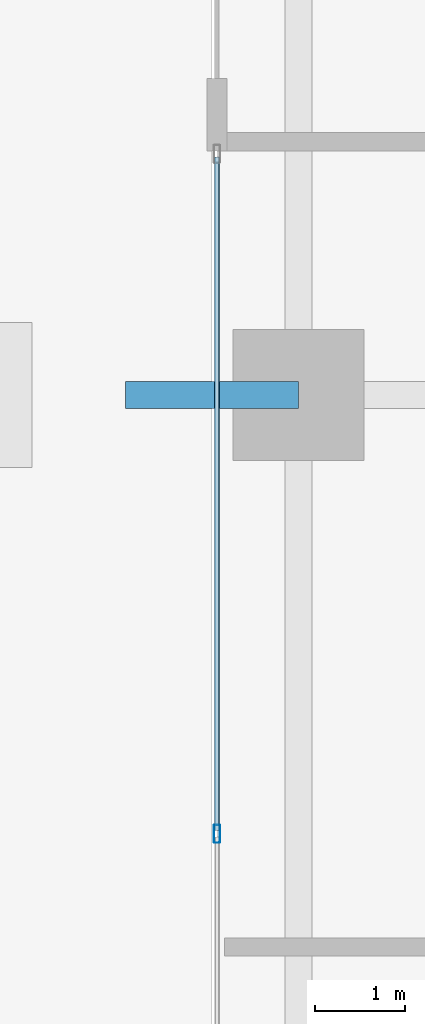
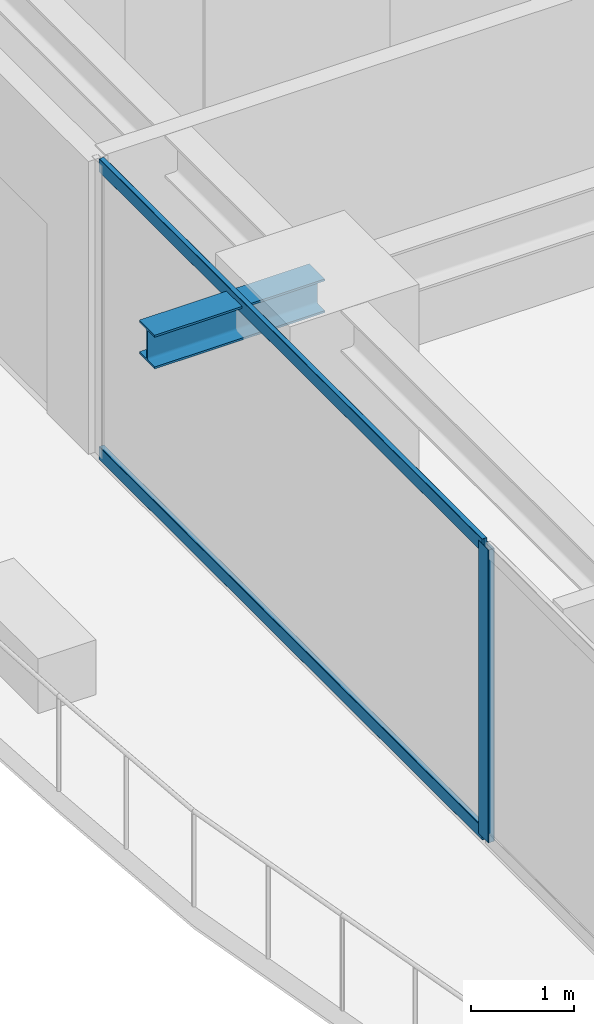
# One storey, part 7 of 41: 3 members, 1 beam, 1 element without a shape of its own.
"""IFC4 building model written with IfcOpenShell, lengths in metres."""

from ifc_helpers import new_model, si_unit, direction, frame, origin, origin_2d, place, context, subcontext, project, spatial, hollow_rectangle, i_section, extrude, source, transform, mapped, material, layer, layer_set, material_profile, profile_set, type_object, element, aggregate, save


model = new_model("IFC4")

# Units and contexts
model_context = context("Model", 3, precision=1e-05, world=origin(), true_north=direction((0.0, 1.0)))
body_context = subcontext(model_context, "Body", "Model", "MODEL_VIEW")
ifc_project = project(units=[si_unit("LENGTHUNIT", "METRE"), si_unit("AREAUNIT", "SQUARE_METRE"), si_unit("VOLUMEUNIT", "CUBIC_METRE"), si_unit("PLANEANGLEUNIT", "RADIAN"), si_unit("MASSUNIT", "GRAM", prefix="KILO")], contexts=[model_context])

# Site, building, storey
site_placement = place(None, origin())
site = spatial("IfcSite", under=ifc_project, at=site_placement, CompositionType="ELEMENT")
building_placement = place(site_placement, origin())
building = spatial("IfcBuilding", under=site, at=building_placement, Name="Serunith Strait Residences", CompositionType="ELEMENT")
storey_placement = place(building_placement, frame((0.0, 0.0, 45.449951171875)))
storey = spatial("IfcBuildingStorey", under=building, at=storey_placement, Name="L10", CompositionType="ELEMENT", Elevation=45.449951171875)

# Beam
ifc_material_1 = material(Name="Steel S355J2", Category="steel")
ifc_material_profile_1 = material_profile(ifc_material_1, i_section(OverallWidth=0.300048828125, OverallDepth=0.39990234375, WebThickness=0.013427734375, FlangeThickness=0.02392578125, FilletRadius=0.027099609375, at=origin_2d()), Name="HEB 400")
ifc_profile_set_1 = profile_set([ifc_material_profile_1], Name="Steel S355J2")
beam_type = type_object("IfcBeamType", Name="BM-HEB400", PredefinedType="BEAM", material=ifc_profile_set_1)
shared_shape_1 = source(origin(), body_context, "Body", "SweptSolid", [
    extrude(i_section(OverallWidth=0.300048828125, OverallDepth=0.39990234375, WebThickness=0.013427734375, FlangeThickness=0.02392578125, FilletRadius=0.027099609375, at=origin_2d()), origin(), (0.0, 0.0, 1.0), 1.909912109375),
])
beam_placement = place(storey_placement, frame((6.89990234375, 21.0, 3.257080078125), z_axis=(-1.0, 0.0, 0.0), x_axis=(0.0, -1.0, 0.0)))
element("IfcBeam", 1, at=beam_placement, inside=storey, type_object=beam_type, Name="L11 Cantilevered Balcony Rib TC-W2", PredefinedType="BEAM", context=body_context, shape_type="MappedRepresentation", body=[
    mapped(shared_shape_1, transform((0.0, 0.0, 0.0), scale=1.0)),
])

# Curtain wall, members
ifc_material_2 = material(Name="Pale-Champagne Anodised Aluminium", Category="aluminium")
ifc_layer = layer(ifc_material_2, 0.199951171875, Name="Pale-Champagne Anodised Aluminium")
ifc_layer_set = layer_set([ifc_layer], Name="Pale-Champagne Anodised Aluminium")
curtain_wall_type = type_object("IfcCurtainWallType", Name="CW-SYS1", PredefinedType="NOTDEFINED", material=ifc_layer_set)
curtain_wall_placement = place(storey_placement, origin())
curtain_wall = element("IfcCurtainWall", 2, at=curtain_wall_placement, inside=storey, type_object=curtain_wall_type, Name="L10 W Unitised Fritted Curtain Wall", PredefinedType="NOTDEFINED")
ifc_material_profile_2 = material_profile(ifc_material_2, hollow_rectangle(XDim=0.070068359375, YDim=0.199951171875, WallThickness=0.00390625, InnerFilletRadius=0.006103515625, OuterFilletRadius=0.010009765625, at=origin_2d()), Name="ALU 200x70x4")
ifc_profile_set_2 = profile_set([ifc_material_profile_2], Name="Pale-Champagne Anodised Aluminium")
member_type_1 = type_object("IfcMemberType", Name="CW-SYS1-MULL", PredefinedType="MULLION", material=ifc_profile_set_2)
shared_shape_2 = source(origin(), body_context, "Body", "SweptSolid", [
    extrude(hollow_rectangle(XDim=0.070068359375, YDim=0.199951171875, WallThickness=0.00390625, InnerFilletRadius=0.006103515625, OuterFilletRadius=0.010009765625, at=origin_2d()), origin(), (0.0, 0.0, 1.0), 3.47509765625),
])
member_1_placement = place(storey_placement, frame((6.0, 16.14990234375, 0.0), z_axis=(0.0, 0.0, 1.0), x_axis=(1.0, 0.0, 0.0)))
member_1 = element("IfcMember", 3, at=member_1_placement, type_object=member_type_1, Name="CW-1 mullion 2", PredefinedType="MULLION", context=body_context, shape_type="MappedRepresentation", body=[
    mapped(shared_shape_2, transform((0.0, 0.0, 0.0), scale=1.0)),
])
ifc_material_profile_3 = material_profile(ifc_material_2, hollow_rectangle(XDim=0.06005859375, YDim=0.159912109375, WallThickness=0.00341796875, InnerFilletRadius=0.00537109375, OuterFilletRadius=0.0087890625, at=origin_2d()), Name="ALU 160x60x3.5")
ifc_profile_set_3 = profile_set([ifc_material_profile_3], Name="Pale-Champagne Anodised Aluminium")
member_type_2 = type_object("IfcMemberType", Name="CW-SYS1-TRAN", PredefinedType="USERDEFINED", material=ifc_profile_set_3)
shared_shape_3 = source(origin(), body_context, "Body", "SweptSolid", [
    extrude(hollow_rectangle(XDim=0.06005859375, YDim=0.159912109375, WallThickness=0.00341796875, InnerFilletRadius=0.00537109375, OuterFilletRadius=0.0087890625, at=origin_2d()), origin(), (0.0, 0.0, 1.0), 7.44482421875),
])
member_2_placement = place(storey_placement, frame((6.0, 23.6298828125, 0.030029296875), z_axis=(0.0, -1.0, 0.0), x_axis=(1.0, 0.0, 0.0)))
member_2 = element("IfcMember", 4, at=member_2_placement, type_object=member_type_2, Name="CW-1 transom 1.1", ObjectType="TRANSOM", PredefinedType="USERDEFINED", context=body_context, shape_type="MappedRepresentation", body=[
    mapped(shared_shape_3, transform((0.0, 0.0, 0.0), scale=1.0)),
])
member_3_placement = place(storey_placement, frame((6.0, 23.6298828125, 3.445068359375), z_axis=(0.0, -1.0, 0.0), x_axis=(1.0, 0.0, 0.0)))
member_3 = element("IfcMember", 5, at=member_3_placement, type_object=member_type_2, Name="CW-1 transom 1.2", ObjectType="TRANSOM", PredefinedType="USERDEFINED", context=body_context, shape_type="MappedRepresentation", body=[
    mapped(shared_shape_3, transform((0.0, 0.0, 0.0), scale=1.0)),
])
aggregate(curtain_wall, [member_1, member_2, member_3])

save(model, "model.ifc")
